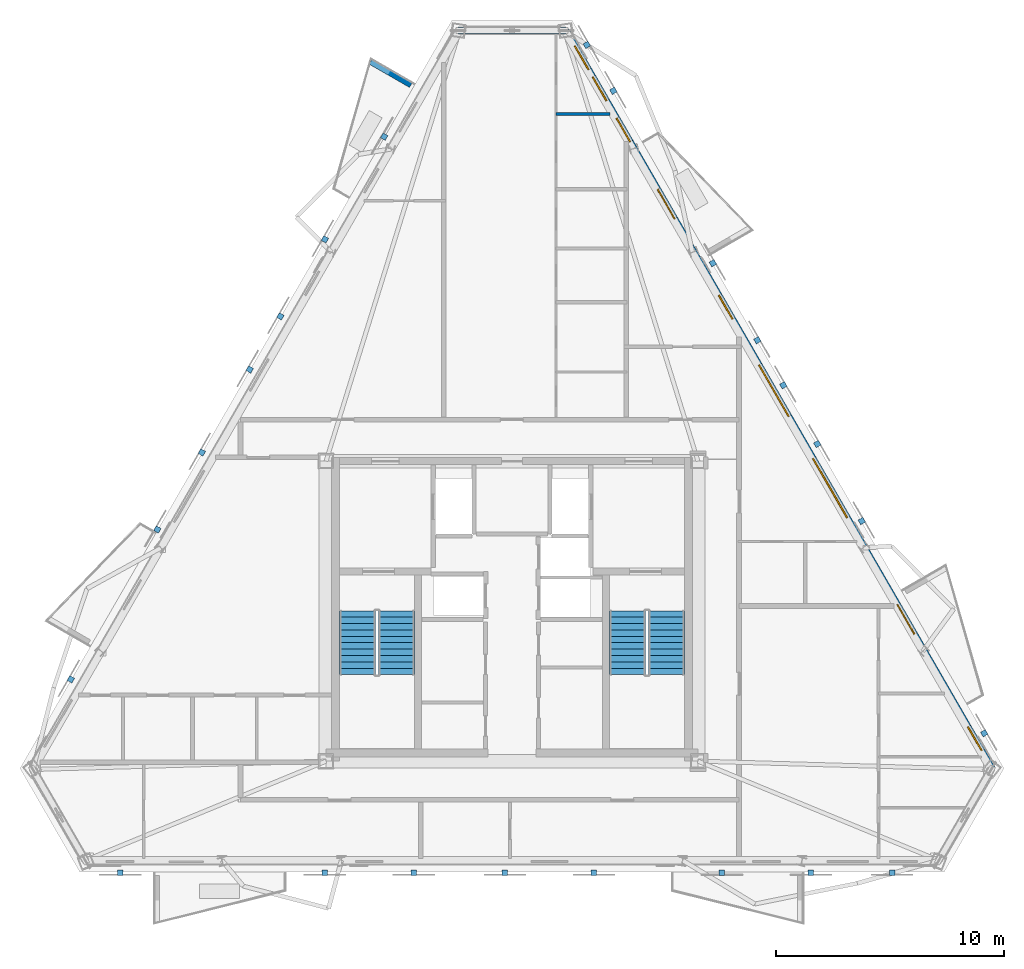
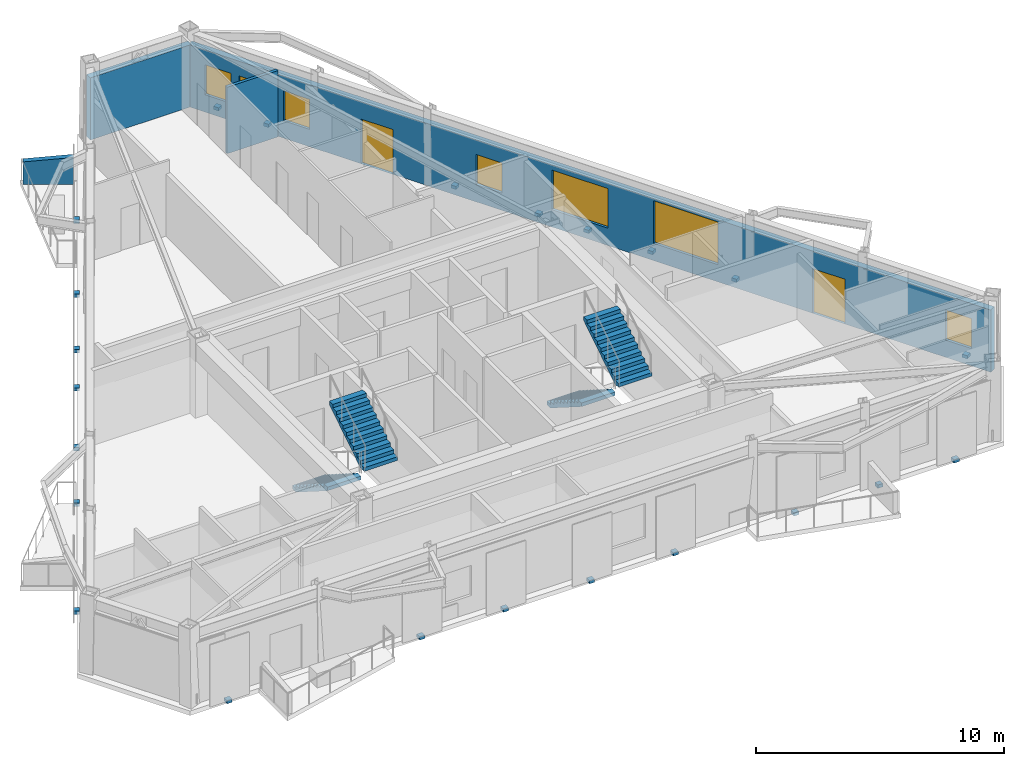
# One storey, part 6 of 9: 23 discrete accessories, 7 windows, 4 stair flights, 4 walls, 2 doors, 9 openings, 2 elements without a shape of their own.
"""IFC4 building model written with IfcOpenShell, lengths in metres."""

from ifc_helpers import new_model, si_unit, direction, frame, frame_2d, origin, origin_2d, place, context, subcontext, project, spatial, polyline, rectangle, outline, extrude, material, layer, layer_set, type_object, element, fill, aggregate, save


model = new_model("IFC4")

# Units and contexts
model_context = context("Model", 3, precision=1e-05, world=origin(), true_north=direction((0.0, 1.0)))
body_context = subcontext(model_context, "Body", "Model", "MODEL_VIEW")
ifc_project = project(units=[si_unit("LENGTHUNIT", "METRE"), si_unit("AREAUNIT", "SQUARE_METRE"), si_unit("VOLUMEUNIT", "CUBIC_METRE"), si_unit("PLANEANGLEUNIT", "RADIAN"), si_unit("MASSUNIT", "GRAM", prefix="KILO")], contexts=[model_context])

# Site, building, storey
site_placement = place(None, origin())
site = spatial("IfcSite", under=ifc_project, at=site_placement, CompositionType="ELEMENT")
building_placement = place(site_placement, origin())
building = spatial("IfcBuilding", under=site, at=building_placement, Name="Oramaril Tower", CompositionType="ELEMENT")
storey_placement = place(building_placement, frame((0.0, 0.0, 273.300048828125)))
storey = spatial("IfcBuildingStorey", under=building, at=storey_placement, Name="L72", CompositionType="ELEMENT", Elevation=273.300048828125)

# Wall, openings, doors, windows
ifc_material_1 = material(Name="Warm Cream Limestone", Category="masonry")
ifc_layer_1 = layer(ifc_material_1, 0.2900390625)
ifc_layer_set_1 = layer_set([ifc_layer_1], Name="WT-EXT29")
wall_type_1 = type_object("IfcWallType", Name="WT-EXT29", PredefinedType="SOLIDWALL", material=ifc_layer_set_1)
wall_1_placement = place(storey_placement, frame((58.531982421875, 10.68310546875, 0.0), z_axis=(0.0, 0.0, 1.0), x_axis=(-0.499999381892, 0.866025760649, 0.0)))
wall_1 = element("IfcWall", 1, at=wall_1_placement, inside=storey, type_object=wall_type_1, Name="L72 Tower Limestone Facade Wall 4M", PredefinedType="SOLIDWALL", context=body_context, shape_type="SweptSolid", body=[
    extrude(rectangle(XDim=37.3427734375, YDim=0.2900390625, at=frame_2d((18.67138671875, 0.0))), origin(), (0.0, 0.0, 1.0), 3.057861328125),
])
opening_1_placement = place(wall_1_placement, frame((6.789306640625, 0.0, 0.0)))
opening_1 = element("IfcOpeningElement", 2, at=opening_1_placement, cuts=wall_1, Name="Opening D-L72-BAL-NE1", PredefinedType="OPENING", context=body_context, shape_type="SweptSolid", body=[
    extrude(rectangle(XDim=1.5, YDim=2.199951171875, at=frame_2d((0.75, 1.10009765625))), frame((0.0, 0.14501953125, 0.0), z_axis=(0.0, -1.0, 0.0), x_axis=(1.0, 0.0, 0.0)), (0.0, 0.0, 1.0), 0.2900390625),
])
opening_2_placement = place(wall_1_placement, frame((27.808349609375, 0.0, 0.0)))
opening_2 = element("IfcOpeningElement", 3, at=opening_2_placement, cuts=wall_1, Name="Opening D-L72-BAL-NE2", PredefinedType="OPENING", context=body_context, shape_type="SweptSolid", body=[
    extrude(rectangle(XDim=1.5, YDim=2.199951171875, at=frame_2d((0.75, 1.10009765625))), frame((0.0, 0.14501953125, 0.0), z_axis=(0.0, -1.0, 0.0), x_axis=(1.0, 0.0, 0.0)), (0.0, 0.0, 1.0), 0.2900390625),
])
opening_3_placement = place(wall_1_placement, frame((0.901123046875, 0.0, 0.85009765625)))
opening_3 = element("IfcOpeningElement", 4, at=opening_3_placement, cuts=wall_1, Name="Opening WN-09", PredefinedType="OPENING", context=body_context, shape_type="SweptSolid", body=[
    extrude(rectangle(XDim=1.199951171875, YDim=1.47998046875, at=frame_2d((0.60009765625, 0.739990234375))), frame((0.0, 0.14501953125, 0.0), z_axis=(0.0, -1.0, 0.0), x_axis=(1.0, 0.0, 0.0)), (0.0, 0.0, 1.0), 0.2900390625),
])
opening_4_placement = place(wall_1_placement, frame((12.68798828125, 0.0, 0.85009765625)))
opening_4 = element("IfcOpeningElement", 5, at=opening_4_placement, cuts=wall_1, Name="Opening WN-10", PredefinedType="OPENING", context=body_context, shape_type="SweptSolid", body=[
    extrude(rectangle(XDim=3.0, YDim=2.097900390625, at=frame_2d((1.5, 1.048828125))), frame((0.0, 0.14501953125, 0.0), z_axis=(0.0, -1.0, 0.0), x_axis=(1.0, 0.0, 0.0)), (0.0, 0.0, 1.0), 0.2900390625),
])
opening_5_placement = place(wall_1_placement, frame((17.813720703125, 0.0, 0.85009765625)))
opening_5 = element("IfcOpeningElement", 6, at=opening_5_placement, cuts=wall_1, Name="Opening WN-02", PredefinedType="OPENING", context=body_context, shape_type="SweptSolid", body=[
    extrude(rectangle(XDim=2.60009765625, YDim=1.949951171875, at=frame_2d((1.300048828125, 0.97509765625))), frame((0.0, 0.14501953125, 0.0), z_axis=(0.0, -1.0, 0.0), x_axis=(1.0, 0.0, 0.0)), (0.0, 0.0, 1.0), 0.2900390625),
])
opening_6_placement = place(wall_1_placement, frame((35.361572265625, 0.0, 0.85009765625)))
opening_6 = element("IfcOpeningElement", 7, at=opening_6_placement, cuts=wall_1, Name="Opening WN-09", PredefinedType="OPENING", context=body_context, shape_type="SweptSolid", body=[
    extrude(rectangle(XDim=1.199951171875, YDim=1.47998046875, at=frame_2d((0.60009765625, 0.739990234375))), frame((0.0, 0.14501953125, 0.0), z_axis=(0.0, -1.0, 0.0), x_axis=(1.0, 0.0, 0.0)), (0.0, 0.0, 1.0), 0.2900390625),
])
opening_7_placement = place(wall_1_placement, frame((33.787841796875, 0.0, 0.85009765625)))
opening_7 = element("IfcOpeningElement", 8, at=opening_7_placement, cuts=wall_1, Name="Opening WN-09", PredefinedType="OPENING", context=body_context, shape_type="SweptSolid", body=[
    extrude(rectangle(XDim=1.199951171875, YDim=1.47998046875, at=frame_2d((0.60009765625, 0.739990234375))), frame((0.0, 0.14501953125, 0.0), z_axis=(0.0, -1.0, 0.0), x_axis=(1.0, 0.0, 0.0)), (0.0, 0.0, 1.0), 0.2900390625),
])
opening_8_placement = place(wall_1_placement, frame((22.739501953125, 0.0, 0.85009765625)))
opening_8 = element("IfcOpeningElement", 9, at=opening_8_placement, cuts=wall_1, Name="Opening WN-09", PredefinedType="OPENING", context=body_context, shape_type="SweptSolid", body=[
    extrude(rectangle(XDim=1.199951171875, YDim=1.47998046875, at=frame_2d((0.60009765625, 0.739990234375))), frame((0.0, 0.14501953125, 0.0), z_axis=(0.0, -1.0, 0.0), x_axis=(1.0, 0.0, 0.0)), (0.0, 0.0, 1.0), 0.2900390625),
])
opening_9_placement = place(wall_1_placement, frame((31.705078125, 0.0, 0.85009765625)))
opening_9 = element("IfcOpeningElement", 10, at=opening_9_placement, cuts=wall_1, Name="Opening WN-09", PredefinedType="OPENING", context=body_context, shape_type="SweptSolid", body=[
    extrude(rectangle(XDim=1.199951171875, YDim=1.47998046875, at=frame_2d((0.60009765625, 0.739990234375))), frame((0.0, 0.14501953125, 0.0), z_axis=(0.0, -1.0, 0.0), x_axis=(1.0, 0.0, 0.0)), (0.0, 0.0, 1.0), 0.2900390625),
])
ifc_material_2 = material(Name="Anodised Aluminium 6063-T6", Category="aluminium")
door_type = type_object("IfcDoorType", Name="DT-BAL", OperationType="NOTDEFINED", PredefinedType="DOOR", material=ifc_material_2)
door_1_placement = place(opening_1_placement, origin())
door_1 = element("IfcDoor", 11, at=door_1_placement, inside=storey, type_object=door_type, Name="L72 Balcony Glazed Door L72-BAL-NE1", OperationType="SINGLE_SWING_LEFT", OverallHeight=2.199951171875, OverallWidth=1.5, PredefinedType="DOOR", context=body_context, shape_type="SweptSolid", body=[
    extrude(rectangle(XDim=1.5, YDim=2.199951171875, at=frame_2d((0.75, 1.10009765625))), frame((0.0, 0.02490234375, 0.0), z_axis=(0.0, -1.0, 0.0), x_axis=(1.0, 0.0, 0.0)), (0.0, 0.0, 1.0), 0.050048828125),
])
fill(opening_1, door_1)
door_2_placement = place(opening_2_placement, origin())
door_2 = element("IfcDoor", 12, at=door_2_placement, inside=storey, type_object=door_type, Name="L72 Balcony Glazed Door L72-BAL-NE2", OperationType="SINGLE_SWING_RIGHT", OverallHeight=2.199951171875, OverallWidth=1.5, PredefinedType="DOOR", context=body_context, shape_type="SweptSolid", body=[
    extrude(rectangle(XDim=1.5, YDim=2.199951171875, at=frame_2d((0.75, 1.10009765625))), frame((0.0, 0.02490234375, 0.0), z_axis=(0.0, -1.0, 0.0), x_axis=(1.0, 0.0, 0.0)), (0.0, 0.0, 1.0), 0.050048828125),
])
fill(opening_2, door_2)
ifc_material_3 = material(Name="Coastal Low-E Insulated Glass", Category="glass")
window_type_1 = type_object("IfcWindowType", Name="WNT-02", PartitioningType="SINGLE_PANEL", PredefinedType="WINDOW", material=ifc_material_3)
window_1_placement = place(opening_5_placement, origin())
window_1 = element("IfcWindow", 13, at=window_1_placement, inside=storey, type_object=window_type_1, Name="L72 Chicago Bay Window WN-02", OverallHeight=1.949951171875, OverallWidth=2.60009765625, PartitioningType="SINGLE_PANEL", PredefinedType="WINDOW", context=body_context, shape_type="SweptSolid", body=[
    extrude(rectangle(XDim=2.60009765625, YDim=1.949951171875, at=frame_2d((1.300048828125, 0.97509765625))), frame((0.0, 0.030029296875, 0.0), z_axis=(0.0, -1.0, 0.0), x_axis=(1.0, 0.0, 0.0)), (0.0, 0.0, 1.0), 0.06005859375),
])
fill(opening_5, window_1)
ifc_material_4 = material(Name="Coastal Low-E Insulated Glass", Category="glass")
window_type_2 = type_object("IfcWindowType", Name="WNT-09", PartitioningType="SINGLE_PANEL", PredefinedType="WINDOW", material=ifc_material_4)
window_2_placement = place(opening_3_placement, origin())
window_2 = element("IfcWindow", 14, at=window_2_placement, inside=storey, type_object=window_type_2, Name="L72 Chicago Bay Window WN-09", OverallHeight=1.47998046875, OverallWidth=1.199951171875, PartitioningType="SINGLE_PANEL", PredefinedType="WINDOW", context=body_context, shape_type="SweptSolid", body=[
    extrude(rectangle(XDim=1.199951171875, YDim=1.47998046875, at=frame_2d((0.60009765625, 0.739990234375))), frame((0.0, 0.030029296875, 0.0), z_axis=(0.0, -1.0, 0.0), x_axis=(1.0, 0.0, 0.0)), (0.0, 0.0, 1.0), 0.06005859375),
])
fill(opening_3, window_2)
window_3_placement = place(opening_6_placement, origin())
window_3 = element("IfcWindow", 15, at=window_3_placement, inside=storey, type_object=window_type_2, Name="L72 Chicago Bay Window WN-09", OverallHeight=1.47998046875, OverallWidth=1.199951171875, PartitioningType="SINGLE_PANEL", PredefinedType="WINDOW", context=body_context, shape_type="SweptSolid", body=[
    extrude(rectangle(XDim=1.199951171875, YDim=1.47998046875, at=frame_2d((0.60009765625, 0.739990234375))), frame((0.0, 0.030029296875, 0.0), z_axis=(0.0, -1.0, 0.0), x_axis=(1.0, 0.0, 0.0)), (0.0, 0.0, 1.0), 0.06005859375),
])
fill(opening_6, window_3)
window_4_placement = place(opening_7_placement, origin())
window_4 = element("IfcWindow", 16, at=window_4_placement, inside=storey, type_object=window_type_2, Name="L72 Chicago Bay Window WN-09", OverallHeight=1.47998046875, OverallWidth=1.199951171875, PartitioningType="SINGLE_PANEL", PredefinedType="WINDOW", context=body_context, shape_type="SweptSolid", body=[
    extrude(rectangle(XDim=1.199951171875, YDim=1.47998046875, at=frame_2d((0.60009765625, 0.739990234375))), frame((0.0, 0.030029296875, 0.0), z_axis=(0.0, -1.0, 0.0), x_axis=(1.0, 0.0, 0.0)), (0.0, 0.0, 1.0), 0.06005859375),
])
fill(opening_7, window_4)
window_5_placement = place(opening_8_placement, origin())
window_5 = element("IfcWindow", 17, at=window_5_placement, inside=storey, type_object=window_type_2, Name="L72 Chicago Bay Window WN-09", OverallHeight=1.47998046875, OverallWidth=1.199951171875, PartitioningType="SINGLE_PANEL", PredefinedType="WINDOW", context=body_context, shape_type="SweptSolid", body=[
    extrude(rectangle(XDim=1.199951171875, YDim=1.47998046875, at=frame_2d((0.60009765625, 0.739990234375))), frame((0.0, 0.030029296875, 0.0), z_axis=(0.0, -1.0, 0.0), x_axis=(1.0, 0.0, 0.0)), (0.0, 0.0, 1.0), 0.06005859375),
])
fill(opening_8, window_5)
window_6_placement = place(opening_9_placement, origin())
window_6 = element("IfcWindow", 18, at=window_6_placement, inside=storey, type_object=window_type_2, Name="L72 Apartment Bedroom Window WN-09", OverallHeight=1.47998046875, OverallWidth=1.199951171875, PartitioningType="SINGLE_PANEL", PredefinedType="WINDOW", context=body_context, shape_type="SweptSolid", body=[
    extrude(rectangle(XDim=1.199951171875, YDim=1.47998046875, at=frame_2d((0.60009765625, 0.739990234375))), frame((0.0, 0.030029296875, 0.0), z_axis=(0.0, -1.0, 0.0), x_axis=(1.0, 0.0, 0.0)), (0.0, 0.0, 1.0), 0.06005859375),
])
fill(opening_9, window_6)
ifc_material_5 = material(Name="Coastal Low-E Insulated Glass", Category="glass")
window_type_3 = type_object("IfcWindowType", Name="WNT-10", PartitioningType="SINGLE_PANEL", PredefinedType="WINDOW", material=ifc_material_5)
window_7_placement = place(opening_4_placement, origin())
window_7 = element("IfcWindow", 19, at=window_7_placement, inside=storey, type_object=window_type_3, Name="L72 Chicago Bay Window WN-10", OverallHeight=2.097900390625, OverallWidth=3.0, PartitioningType="SINGLE_PANEL", PredefinedType="WINDOW", context=body_context, shape_type="SweptSolid", body=[
    extrude(rectangle(XDim=3.0, YDim=2.097900390625, at=frame_2d((1.5, 1.048828125))), frame((0.0, 0.030029296875, 0.0), z_axis=(0.0, -1.0, 0.0), x_axis=(1.0, 0.0, 0.0)), (0.0, 0.0, 1.0), 0.06005859375),
])
fill(opening_4, window_7)

# Walls
wall_2_placement = place(storey_placement, frame((39.860595703125, 43.02294921875, 0.0), z_axis=(0.0, 0.0, 1.0), x_axis=(-1.0, 0.0, 0.0)))
element("IfcWall", 20, at=wall_2_placement, inside=storey, type_object=wall_type_1, Name="L72 Tower Limestone Facade Wall 5M", PredefinedType="SOLIDWALL", context=body_context, shape_type="SweptSolid", body=[
    extrude(rectangle(XDim=4.72119140625, YDim=0.2900390625, at=frame_2d((2.360595703125, 0.0))), origin(), (0.0, 0.0, 1.0), 3.057861328125),
])
ifc_material_6 = material(Name="Concrete C40/50", Category="concrete")
ifc_layer_2 = layer(ifc_material_6, 0.22998046875)
ifc_layer_set_2 = layer_set([ifc_layer_2], Name="WT-PRP23")
wall_type_2 = type_object("IfcWallType", Name="WT-PRP23", PredefinedType="PARAPET", material=ifc_layer_set_2)
wall_3_placement = place(storey_placement, frame((33.064208984375, 40.624755859375, 0.0), z_axis=(0.0, 0.0, 1.0), x_axis=(-0.866012356593, 0.500022597718, 0.0)))
element("IfcWall", 21, at=wall_3_placement, inside=storey, type_object=wall_type_2, Name="L72 Trapezoidal Balcony Frame Cheek L72-BAL-NW1-L", PredefinedType="PARAPET", context=body_context, shape_type="SweptSolid", body=[
    extrude(outline(polyline([(0.0, 0.0), (2.0419921875, 0.0), (2.0419921875, 1.099853515625), (0.0, 1.320068359375), (0.0, 0.0)])), frame((0.0, 0.114990234375, 0.0), z_axis=(0.0, -1.0, 0.0), x_axis=(1.0, 0.0, 0.0)), (0.0, 0.0, 1.0), 0.22998046875),
])
ifc_material_7 = material(Name="Acoustic Gypsum Board Partition")
ifc_layer_3 = layer(ifc_material_7, 0.139892578125)
ifc_layer_set_3 = layer_set([ifc_layer_3], Name="WT-PT14")
wall_type_3 = type_object("IfcWallType", Name="WT-PT14", PredefinedType="PARTITIONING", material=ifc_layer_set_3)
wall_4_placement = place(storey_placement, frame((39.429931640625, 39.360107421875, 0.0), z_axis=(0.0, 0.0, 1.0), x_axis=(1.0, 0.0, 0.0)))
element("IfcWall", 22, at=wall_4_placement, inside=storey, type_object=wall_type_3, Name="L72 Interior Partition PT-14", PredefinedType="PARTITIONING", context=body_context, shape_type="SweptSolid", body=[
    extrude(rectangle(XDim=2.37353515625, YDim=0.139892578125, at=frame_2d((1.186767578125, 0.0))), origin(), (0.0, 0.0, 1.0), 3.265869140625),
])

# Stair, stair flights
ifc_material_8 = material(Name="Concrete C50/60", Category="concrete")
stair_type = type_object("IfcStairType", Name="STT-DG-3900", PredefinedType="HALF_TURN_STAIR", material=ifc_material_8)
stair_1_placement = place(storey_placement, origin())
stair_1 = element("IfcStair", 23, at=stair_1_placement, inside=storey, type_object=stair_type, Name="L72 Protected PFP Exit Stair ST-1", PredefinedType="HALF_TURN_STAIR")
ifc_material_9 = material(Name="Concrete C50/60", Category="concrete")
stair_flight_type = type_object("IfcStairFlightType", Name="SFT-DG-3900", PredefinedType="STRAIGHT", material=ifc_material_9)
stair_flight_1_placement = place(storey_placement, frame((30.72998046875, 17.590087890625, 0.0), z_axis=(0.0, 0.0, 1.0), x_axis=(0.0, -1.0, 0.0)))
stair_flight_1 = element("IfcStairFlight", 24, at=stair_flight_1_placement, type_object=stair_flight_type, Name="ST-1 flight 1", NumberOfRisers=11, NumberOfTreads=10, PredefinedType="STRAIGHT", RiserHeight=0.177272727, TreadLength=0.28, context=body_context, shape_type="SweptSolid", body=[
    extrude(outline(polyline([(0.0, 0.0), (0.0, 0.17724609375), (0.280029296875, 0.17724609375), (0.280029296875, 0.3544921875), (0.56005859375, 0.3544921875), (0.56005859375, 0.53173828125), (0.840087890625, 0.53173828125), (0.840087890625, 0.708984375), (1.1201171875, 0.708984375), (1.1201171875, 0.886474609375), (1.39990234375, 0.886474609375), (1.39990234375, 1.063720703125), (1.679931640625, 1.063720703125), (1.679931640625, 1.240966796875), (1.9599609375, 1.240966796875), (1.9599609375, 1.418212890625), (2.239990234375, 1.418212890625), (2.239990234375, 1.595458984375), (2.52001953125, 1.595458984375), (2.52001953125, 1.772705078125), (2.800048828125, 1.772705078125), (2.800048828125, 1.949951171875), (2.800048828125, 1.59521484375), (0.2802734375, 0.0), (0.0, 0.0)])), frame((0.0, 0.780029296875, 0.0), z_axis=(0.0, -1.0, 0.0), x_axis=(1.0, 0.0, 0.0)), (0.0, 0.0, 1.0), 1.56005859375),
])
stair_flight_2_placement = place(storey_placement, frame((32.43994140625, 14.7900390625, 1.949951171875), z_axis=(0.0, 0.0, 1.0), x_axis=(0.0, 1.0, 0.0)))
stair_flight_2 = element("IfcStairFlight", 25, at=stair_flight_2_placement, type_object=stair_flight_type, Name="ST-1 flight 2", NumberOfRisers=11, NumberOfTreads=10, PredefinedType="STRAIGHT", RiserHeight=0.177272727, TreadLength=0.28, context=body_context, shape_type="SweptSolid", body=[
    extrude(outline(polyline([(0.0, 0.0), (0.0, 0.17724609375), (0.280029296875, 0.17724609375), (0.280029296875, 0.3544921875), (0.56005859375, 0.3544921875), (0.56005859375, 0.53173828125), (0.840087890625, 0.53173828125), (0.840087890625, 0.708984375), (1.1201171875, 0.708984375), (1.1201171875, 0.886474609375), (1.39990234375, 0.886474609375), (1.39990234375, 1.063720703125), (1.679931640625, 1.063720703125), (1.679931640625, 1.240966796875), (1.9599609375, 1.240966796875), (1.9599609375, 1.418212890625), (2.239990234375, 1.418212890625), (2.239990234375, 1.595458984375), (2.52001953125, 1.595458984375), (2.52001953125, 1.772705078125), (2.800048828125, 1.772705078125), (2.800048828125, 1.949951171875), (2.800048828125, 1.59521484375), (0.2802734375, 0.0), (0.0, 0.0)])), frame((0.0, 0.780029296875, 0.0), z_axis=(0.0, -1.0, 0.0), x_axis=(1.0, 0.0, 0.0)), (0.0, 0.0, 1.0), 1.56005859375),
])
aggregate(stair_1, [stair_flight_1, stair_flight_2])

stair_2_placement = place(storey_placement, origin())
stair_2 = element("IfcStair", 26, at=stair_2_placement, inside=storey, type_object=stair_type, Name="L72 Protected PFP Exit Stair ST-2", PredefinedType="HALF_TURN_STAIR")
stair_flight_3_placement = place(storey_placement, frame((42.56005859375, 17.590087890625, 0.0), z_axis=(0.0, 0.0, 1.0), x_axis=(0.0, -1.0, 0.0)))
stair_flight_3 = element("IfcStairFlight", 27, at=stair_flight_3_placement, type_object=stair_flight_type, Name="ST-2 flight 1", NumberOfRisers=11, NumberOfTreads=10, PredefinedType="STRAIGHT", RiserHeight=0.177272727, TreadLength=0.28, context=body_context, shape_type="SweptSolid", body=[
    extrude(outline(polyline([(0.0, 0.0), (0.0, 0.17724609375), (0.280029296875, 0.17724609375), (0.280029296875, 0.3544921875), (0.56005859375, 0.3544921875), (0.56005859375, 0.53173828125), (0.840087890625, 0.53173828125), (0.840087890625, 0.708984375), (1.1201171875, 0.708984375), (1.1201171875, 0.886474609375), (1.39990234375, 0.886474609375), (1.39990234375, 1.063720703125), (1.679931640625, 1.063720703125), (1.679931640625, 1.240966796875), (1.9599609375, 1.240966796875), (1.9599609375, 1.418212890625), (2.239990234375, 1.418212890625), (2.239990234375, 1.595458984375), (2.52001953125, 1.595458984375), (2.52001953125, 1.772705078125), (2.800048828125, 1.772705078125), (2.800048828125, 1.949951171875), (2.800048828125, 1.59521484375), (0.2802734375, 0.0), (0.0, 0.0)])), frame((0.0, 0.780029296875, 0.0), z_axis=(0.0, -1.0, 0.0), x_axis=(1.0, 0.0, 0.0)), (0.0, 0.0, 1.0), 1.56005859375),
])
stair_flight_4_placement = place(storey_placement, frame((44.27001953125, 14.7900390625, 1.949951171875), z_axis=(0.0, 0.0, 1.0), x_axis=(0.0, 1.0, 0.0)))
stair_flight_4 = element("IfcStairFlight", 28, at=stair_flight_4_placement, type_object=stair_flight_type, Name="ST-2 flight 2", NumberOfRisers=11, NumberOfTreads=10, PredefinedType="STRAIGHT", RiserHeight=0.177272727, TreadLength=0.28, context=body_context, shape_type="SweptSolid", body=[
    extrude(outline(polyline([(0.0, 0.0), (0.0, 0.17724609375), (0.280029296875, 0.17724609375), (0.280029296875, 0.3544921875), (0.56005859375, 0.3544921875), (0.56005859375, 0.53173828125), (0.840087890625, 0.53173828125), (0.840087890625, 0.708984375), (1.1201171875, 0.708984375), (1.1201171875, 0.886474609375), (1.39990234375, 0.886474609375), (1.39990234375, 1.063720703125), (1.679931640625, 1.063720703125), (1.679931640625, 1.240966796875), (1.9599609375, 1.240966796875), (1.9599609375, 1.418212890625), (2.239990234375, 1.418212890625), (2.239990234375, 1.595458984375), (2.52001953125, 1.595458984375), (2.52001953125, 1.772705078125), (2.800048828125, 1.772705078125), (2.800048828125, 1.949951171875), (2.800048828125, 1.59521484375), (0.2802734375, 0.0), (0.0, 0.0)])), frame((0.0, 0.780029296875, 0.0), z_axis=(0.0, -1.0, 0.0), x_axis=(1.0, 0.0, 0.0)), (0.0, 0.0, 1.0), 1.56005859375),
])
aggregate(stair_2, [stair_flight_3, stair_flight_4])

# Discrete accessories
for number, where, z_axis, x_axis, name in (
    (29, (29.29150390625, 6.114013671875, -0.14013671875), (0.0, 0.0, 1.0), (1.0, 0.0, 0.0), "L72 Solar Screen Slab Bracket"),
    (30, (33.19140625, 6.114013671875, -0.14013671875), (0.0, 0.0, 1.0), (1.0, 0.0, 0.0), "L72 Solar Screen Slab Bracket"),
    (31, (20.32568359375, 6.114013671875, -0.14013671875), (0.0, 0.0, 1.0), (1.0, 0.0, 0.0), "L72 Solar Screen Slab Bracket"),
    (32, (37.19091796875, 6.114013671875, -0.14013671875), (0.0, 0.0, 1.0), (1.0, 0.0, 0.0), "L72 Solar Screen Slab Bracket"),
    (33, (41.0908203125, 6.114013671875, -0.14013671875), (0.0, 0.0, 1.0), (1.0, 0.0, 0.0), "L72 Solar Screen Slab Bracket"),
    (34, (46.7021484375, 6.114013671875, -0.14013671875), (0.0, 0.0, 1.0), (1.0, 0.0, 0.0), "L72 Solar Screen Slab Bracket"),
    (35, (50.602294921875, 6.114013671875, -0.14013671875), (0.0, 0.0, 1.0), (1.0, 0.0, 0.0), "L72 Solar Screen Slab Bracket"),
    (36, (54.15625, 6.114013671875, -0.14013671875), (0.0, 0.0, 1.0), (1.0, 0.0, 0.0), "L72 Solar Screen Slab Bracket"),
    (37, (58.197265625, 12.222900390625, -0.14013671875), (0.0, 0.0, 1.0), (-0.4999984885, 0.866026276448, 0.0), "L72 Solar Screen Slab Bracket"),
    (38, (52.828857421875, 21.521484375, -0.14013671875), (0.0, 0.0, 1.0), (-0.4999984885, 0.866026276448, 0.0), "L72 Solar Screen Slab Bracket"),
    (39, (50.87890625, 24.89892578125, -0.14013671875), (0.0, 0.0, 1.0), (-0.4999984885, 0.866026276448, 0.0), "L72 Solar Screen Slab Bracket"),
    (40, (49.39111328125, 27.475830078125, -0.14013671875), (0.0, 0.0, 1.0), (-0.4999984885, 0.866026276448, 0.0), "L72 Solar Screen Slab Bracket"),
    (41, (41.94189453125, 40.3779296875, -0.14013671875), (0.0, 0.0, 1.0), (-0.4999984885, 0.866026276448, 0.0), "L72 Solar Screen Slab Bracket"),
    (42, (40.77880859375, 42.392578125, -0.14013671875), (0.0, 0.0, 1.0), (-0.4999984885, 0.866026276448, 0.0), "L72 Solar Screen Slab Bracket"),
    (43, (48.2529296875, 29.447021484375, -0.14013671875), (0.0, 0.0, 1.0), (-0.4999984885, 0.866026276448, 0.0), "L72 Solar Screen Slab Bracket"),
    (44, (46.302978515625, 32.824462890625, -0.14013671875), (0.0, 0.0, 1.0), (-0.4999984885, 0.866026276448, 0.0), "L72 Solar Screen Slab Bracket"),
    (45, (23.907958984375, 24.529296875, -0.14013671875), (0.0, 0.0, 1.0), (-0.4999984885, -0.866026276448, 0.0), "L72 Solar Screen Slab Bracket"),
    (46, (21.9580078125, 21.15185546875, -0.14013671875), (0.0, 0.0, 1.0), (-0.4999984885, -0.866026276448, 0.0), "L72 Solar Screen Slab Bracket"),
    (47, (18.16552734375, 14.58349609375, -0.14013671875), (0.0, 0.0, 1.0), (-0.4999984885, -0.866026276448, 0.0), "L72 Solar Screen Slab Bracket"),
    (48, (29.30029296875, 33.869384765625, -0.14013671875), (0.0, 0.0, 1.0), (-0.4999984885, -0.866026276448, 0.0), "L72 Solar Screen Slab Bracket"),
    (49, (27.350341796875, 30.491943359375, -0.14013671875), (0.0, 0.0, 1.0), (-0.4999984885, -0.866026276448, 0.0), "L72 Solar Screen Slab Bracket"),
    (50, (26.006103515625, 28.163818359375, -0.14013671875), (0.0, 0.0, 1.0), (-0.4999984885, -0.866026276448, 0.0), "L72 Solar Screen Slab Bracket"),
    (51, (31.898193359375, 38.369140625, -0.14013671875), (0.0, 0.0, 1.0), (-0.4999984885, -0.866026276448, 0.0), "L72 Solar Screen Slab Bracket"),
):
    element("IfcDiscreteAccessory", number, at=place(storey_placement, frame(where, z_axis=z_axis, x_axis=x_axis)), inside=storey, Name=name, PredefinedType="BRACKET", context=body_context, shape_type="SweptSolid", body=[
        extrude(rectangle(XDim=0.239990234375, YDim=0.239990234375, at=origin_2d()), origin(), (0.0, 0.0, 1.0), 0.159912109375),
    ])

save(model, "model.ifc")
